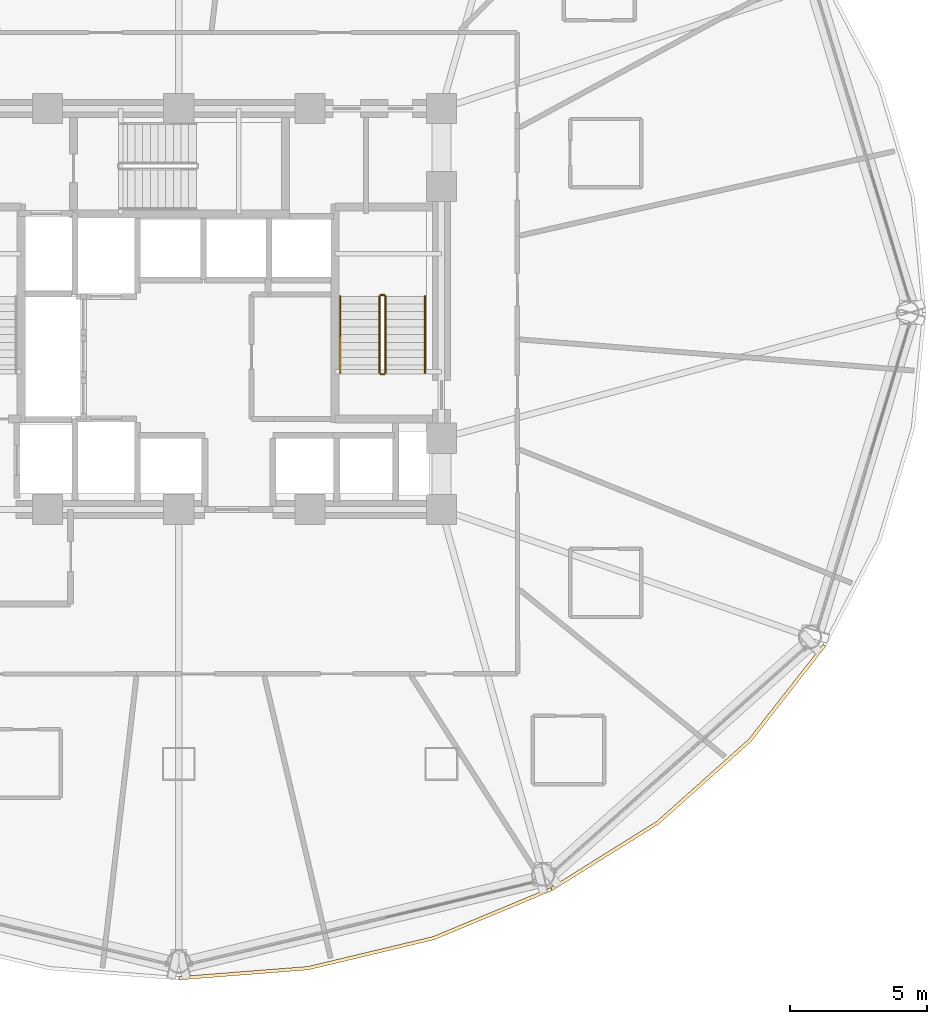
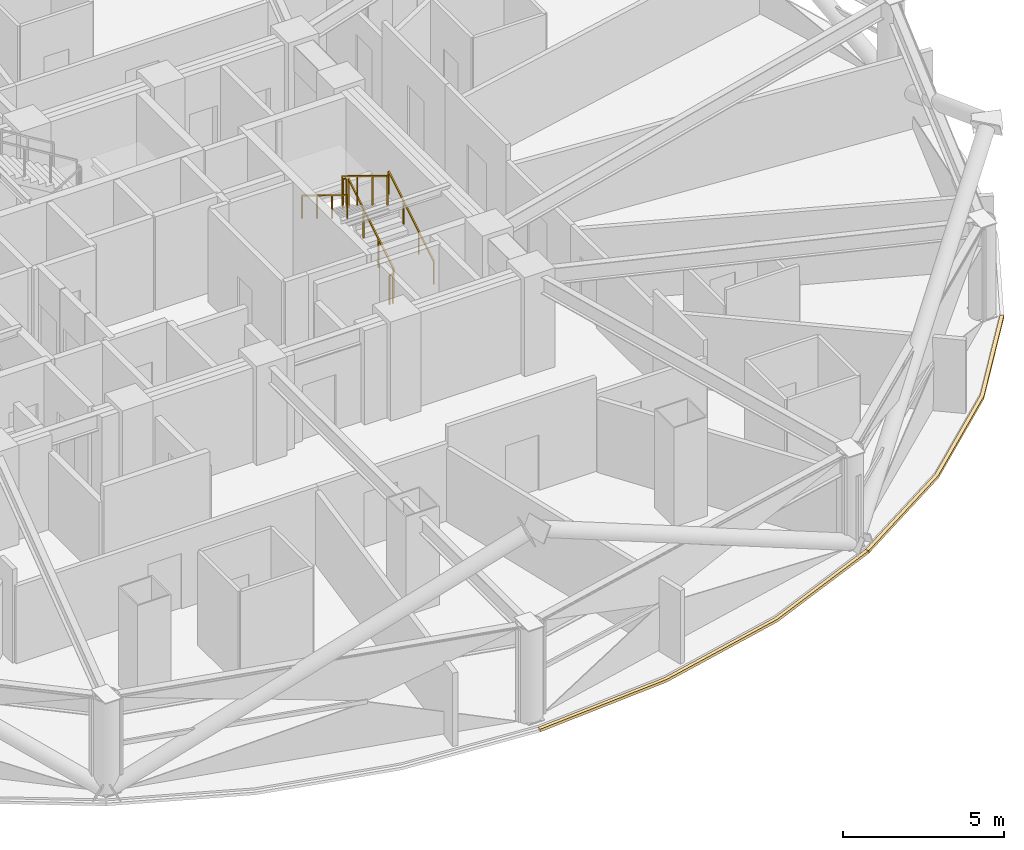
# One storey, part 30 of 31: 6 railings, 2 coverings.
"""IFC4 building model written with IfcOpenShell, lengths in metres."""

from ifc_helpers import new_model, si_unit, direction, frame, origin, origin_2d, place, context, subcontext, project, spatial, polyline, rectangle, outline, extrude, material, layer, layer_set, type_object, element, save


model = new_model("IFC4")

# Units and contexts
model_context = context("Model", 3, precision=1e-05, world=origin(), true_north=direction((0.0, 1.0)))
body_context = subcontext(model_context, "Body", "Model", "MODEL_VIEW")
ifc_project = project(units=[si_unit("LENGTHUNIT", "METRE"), si_unit("AREAUNIT", "SQUARE_METRE"), si_unit("VOLUMEUNIT", "CUBIC_METRE"), si_unit("PLANEANGLEUNIT", "RADIAN"), si_unit("MASSUNIT", "GRAM", prefix="KILO")], contexts=[model_context])

# Site, building, storey
site_placement = place(None, origin())
site = spatial("IfcSite", under=ifc_project, at=site_placement, CompositionType="ELEMENT")
building_placement = place(site_placement, origin())
building = spatial("IfcBuilding", under=site, at=building_placement, Name="Vantalir Tower", CompositionType="ELEMENT")
storey_placement = place(building_placement, frame((0.0, 0.0, 42.0)))
storey = spatial("IfcBuildingStorey", under=building, at=storey_placement, Name="L09", CompositionType="ELEMENT", Elevation=42.0)

# Coverings
ifc_material_1 = material(Name="Anodised champagne aluminium sill fascia", Category="aluminium")
ifc_layer = layer(ifc_material_1, 0.125)
ifc_layer_set = layer_set([ifc_layer], Name="Anodised champagne aluminium sill fascia")
covering_type = type_object("IfcCoveringType", Name="COV-SLAB-FASCIA-125", PredefinedType="CLADDING", material=ifc_layer_set)
covering_1_placement = place(storey_placement, frame((0.0, 0.0, -0.179931640625)))
element("IfcCovering", 1, at=covering_1_placement, inside=storey, type_object=covering_type, Name="L09 Perimeter Slab-Edge Sill Fascia 10", PredefinedType="CLADDING", context=body_context, shape_type="SweptSolid", body=[
    extrude(outline(polyline([(31.5, 0.59912109375), (36.242919921875, 0.969970703125), (40.842041015625, 2.071044921875), (45.156982421875, 3.867919921875), (45.094970703125, 3.97607421875), (40.799072265625, 2.18798828125), (36.220947265625, 1.093017578125), (31.5, 0.72412109375), (31.5, 0.59912109375)])), origin(), (0.0, 0.0, 1.0), 0.10498046875),
])
covering_2_placement = place(storey_placement, frame((0.0, 0.0, -0.179931640625)))
element("IfcCovering", 2, at=covering_2_placement, inside=storey, type_object=covering_type, Name="L09 Perimeter Slab-Edge Sill Fascia 11", PredefinedType="CLADDING", context=body_context, shape_type="SweptSolid", body=[
    extrude(outline(polyline([(45.156982421875, 3.867919921875), (49.056884765625, 6.30810546875), (52.424072265625, 9.31494140625), (55.155029296875, 12.799072265625), (55.0458984375, 12.862060546875), (52.327880859375, 9.39599609375), (48.97705078125, 6.404052734375), (45.094970703125, 3.97607421875), (45.156982421875, 3.867919921875)])), origin(), (0.0, 0.0, 1.0), 0.10498046875),
])

# Railings
ifc_material_2 = material(Name="Anodised aluminium and stainless steel guard", Category="steel")
railing_type_1 = type_object("IfcRailingType", Name="RAL-GUARD-1120", PredefinedType="GUARDRAIL", material=ifc_material_2)
railing_1_placement = place(storey_placement, frame((39.06005859375, 22.7900390625, 0.17041015625)))
element("IfcRailing", 3, at=railing_1_placement, inside=storey, type_object=railing_type_1, Name="L09 ST2 stair guard 1", PredefinedType="GUARDRAIL", context=body_context, shape_type="SweptSolid", body=[
    extrude(rectangle(XDim=0.048095703125, YDim=0.048095703125, at=origin_2d()), frame((0.0, 0.0, 1.09619140625), z_axis=(0.0, 0.854169791009, 0.51999420009), x_axis=(-1.0, 0.0, 0.0)), (0.0, 0.0, 1.0), 3.278076171875),
    extrude(rectangle(XDim=0.0419921875, YDim=0.0419921875, at=origin_2d()), origin(), (0.0, 0.0, 1.0), 1.072021484375),
    extrude(rectangle(XDim=0.0419921875, YDim=0.0419921875, at=origin_2d()), frame((0.0, 0.933349609375, 0.568115234375)), (0.0, 0.0, 1.0), 1.072021484375),
    extrude(rectangle(XDim=0.0419921875, YDim=0.0419921875, at=origin_2d()), frame((0.0, 1.86669921875, 1.136474609375)), (0.0, 0.0, 1.0), 1.072021484375),
    extrude(rectangle(XDim=0.0419921875, YDim=0.0419921875, at=origin_2d()), frame((0.0, 2.800048828125, 1.70458984375)), (0.0, 0.0, 1.0), 1.072021484375),
])
railing_2_placement = place(storey_placement, frame((39.010009765625, 25.639892578125, 1.875)))
element("IfcRailing", 4, at=railing_2_placement, inside=storey, type_object=railing_type_1, Name="L09 ST2 stair guard 2", PredefinedType="GUARDRAIL", context=body_context, shape_type="SweptSolid", body=[
    extrude(rectangle(XDim=0.048095703125, YDim=0.048095703125, at=origin_2d()), frame((0.0, 0.0, 1.09619140625), z_axis=(-1.0, 0.0, 0.0), x_axis=(0.0, -1.0, 0.0)), (0.0, 0.0, 1.0), 0.1201171875),
    extrude(rectangle(XDim=0.0419921875, YDim=0.0419921875, at=origin_2d()), origin(), (0.0, 0.0, 1.0), 1.072021484375),
    extrude(rectangle(XDim=0.0419921875, YDim=0.0419921875, at=origin_2d()), frame((-0.1201171875, 0.0, 0.0)), (0.0, 0.0, 1.0), 1.072021484375),
])
railing_3_placement = place(storey_placement, frame((38.840087890625, 25.590087890625, 2.04541015625)))
element("IfcRailing", 5, at=railing_3_placement, inside=storey, type_object=railing_type_1, Name="L09 ST2 stair guard 3", PredefinedType="GUARDRAIL", context=body_context, shape_type="SweptSolid", body=[
    extrude(rectangle(XDim=0.048095703125, YDim=0.048095703125, at=origin_2d()), frame((0.0, 0.0, 1.09619140625), z_axis=(0.0, -0.854169791009, 0.51999420009), x_axis=(1.0, 0.0, 0.0)), (0.0, 0.0, 1.0), 3.278076171875),
    extrude(rectangle(XDim=0.0419921875, YDim=0.0419921875, at=origin_2d()), origin(), (0.0, 0.0, 1.0), 1.072021484375),
    extrude(rectangle(XDim=0.0419921875, YDim=0.0419921875, at=origin_2d()), frame((0.0, -0.933349609375, 0.568115234375)), (0.0, 0.0, 1.0), 1.072021484375),
    extrude(rectangle(XDim=0.0419921875, YDim=0.0419921875, at=origin_2d()), frame((0.0, -1.86669921875, 1.136474609375)), (0.0, 0.0, 1.0), 1.072021484375),
    extrude(rectangle(XDim=0.0419921875, YDim=0.0419921875, at=origin_2d()), frame((0.0, -2.800048828125, 1.70458984375)), (0.0, 0.0, 1.0), 1.072021484375),
])
railing_4_placement = place(storey_placement, frame((39.010009765625, 22.739990234375, 0.0)))
element("IfcRailing", 6, at=railing_4_placement, inside=storey, type_object=railing_type_1, Name="L09 ST2 stair guard 4", PredefinedType="GUARDRAIL", context=body_context, shape_type="SweptSolid", body=[
    extrude(rectangle(XDim=0.048095703125, YDim=0.048095703125, at=origin_2d()), frame((0.0, 0.0, 1.09619140625), z_axis=(-1.0, 0.0, 0.0), x_axis=(0.0, -1.0, 0.0)), (0.0, 0.0, 1.0), 0.1201171875),
    extrude(rectangle(XDim=0.0419921875, YDim=0.0419921875, at=origin_2d()), origin(), (0.0, 0.0, 1.0), 1.072021484375),
    extrude(rectangle(XDim=0.0419921875, YDim=0.0419921875, at=origin_2d()), frame((-0.1201171875, 0.0, 0.0)), (0.0, 0.0, 1.0), 1.072021484375),
])
ifc_material_3 = material(Name="Brushed stainless steel tubular handrail", Category="steel")
railing_type_2 = type_object("IfcRailingType", Name="RAL-HANDRAIL-900", PredefinedType="HANDRAIL", material=ifc_material_3)
railing_5_placement = place(storey_placement, frame((40.5, 22.7900390625, 0.17041015625)))
element("IfcRailing", 7, at=railing_5_placement, inside=storey, type_object=railing_type_2, Name="L09 ST2 stair handrail 1", PredefinedType="HANDRAIL", context=body_context, shape_type="SweptSolid", body=[
    extrude(rectangle(XDim=0.048095703125, YDim=0.048095703125, at=origin_2d()), frame((0.0, 0.0, 0.8759765625), z_axis=(0.0, 0.854169791009, 0.51999420009), x_axis=(-1.0, 0.0, 0.0)), (0.0, 0.0, 1.0), 3.278076171875),
    extrude(rectangle(XDim=0.0419921875, YDim=0.0419921875, at=origin_2d()), origin(), (0.0, 0.0, 1.0), 0.851806640625),
    extrude(rectangle(XDim=0.0419921875, YDim=0.0419921875, at=origin_2d()), frame((0.0, 0.933349609375, 0.568115234375)), (0.0, 0.0, 1.0), 0.851806640625),
    extrude(rectangle(XDim=0.0419921875, YDim=0.0419921875, at=origin_2d()), frame((0.0, 1.86669921875, 1.136474609375)), (0.0, 0.0, 1.0), 0.851806640625),
    extrude(rectangle(XDim=0.0419921875, YDim=0.0419921875, at=origin_2d()), frame((0.0, 2.800048828125, 1.70458984375)), (0.0, 0.0, 1.0), 0.851806640625),
])
railing_6_placement = place(storey_placement, frame((37.39990234375, 25.590087890625, 2.04541015625)))
element("IfcRailing", 8, at=railing_6_placement, inside=storey, type_object=railing_type_2, Name="L09 ST2 stair handrail 2", PredefinedType="HANDRAIL", context=body_context, shape_type="SweptSolid", body=[
    extrude(rectangle(XDim=0.048095703125, YDim=0.048095703125, at=origin_2d()), frame((0.0, 0.0, 0.8759765625), z_axis=(0.0, -0.854169791009, 0.51999420009), x_axis=(1.0, 0.0, 0.0)), (0.0, 0.0, 1.0), 3.278076171875),
    extrude(rectangle(XDim=0.0419921875, YDim=0.0419921875, at=origin_2d()), origin(), (0.0, 0.0, 1.0), 0.851806640625),
    extrude(rectangle(XDim=0.0419921875, YDim=0.0419921875, at=origin_2d()), frame((0.0, -0.933349609375, 0.568115234375)), (0.0, 0.0, 1.0), 0.851806640625),
    extrude(rectangle(XDim=0.0419921875, YDim=0.0419921875, at=origin_2d()), frame((0.0, -1.86669921875, 1.136474609375)), (0.0, 0.0, 1.0), 0.851806640625),
    extrude(rectangle(XDim=0.0419921875, YDim=0.0419921875, at=origin_2d()), frame((0.0, -2.800048828125, 1.70458984375)), (0.0, 0.0, 1.0), 0.851806640625),
])

save(model, "model.ifc")
